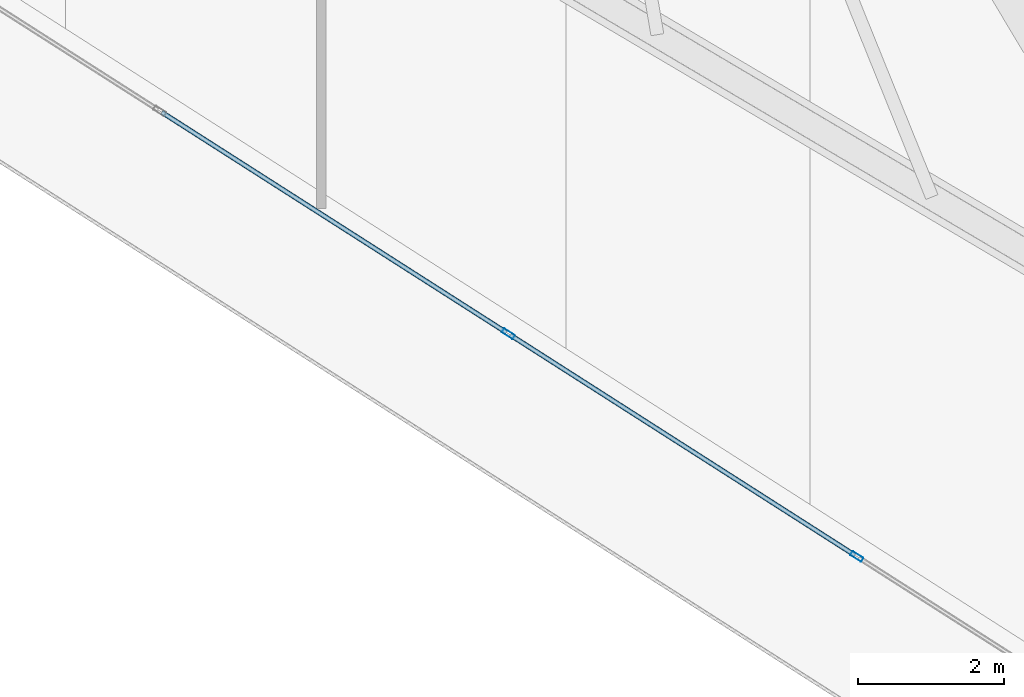
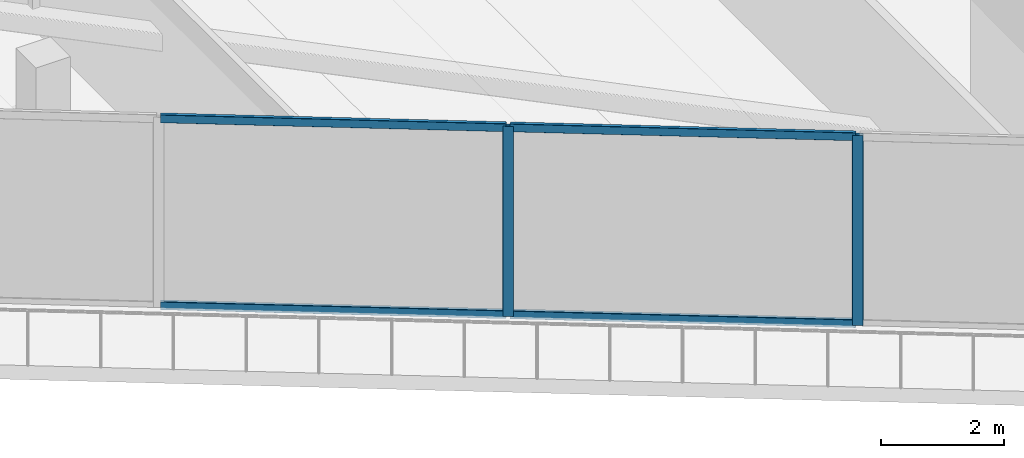
# One storey, part 7 of 45: 6 members, 1 element without a shape of its own.
"""IFC4 building model written with IfcOpenShell, lengths in metres."""

from ifc_helpers import new_model, si_unit, direction, frame, origin, origin_2d, place, context, subcontext, project, spatial, hollow_rectangle, extrude, material, layer, layer_set, material_profile, profile_set, type_object, element, aggregate, save


model = new_model("IFC4")

# Units and contexts
model_context = context("Model", 3, precision=1e-05, world=origin(), true_north=direction((0.0, 1.0)))
body_context = subcontext(model_context, "Body", "Model", "MODEL_VIEW")
ifc_project = project(units=[si_unit("LENGTHUNIT", "METRE"), si_unit("AREAUNIT", "SQUARE_METRE"), si_unit("VOLUMEUNIT", "CUBIC_METRE"), si_unit("PLANEANGLEUNIT", "RADIAN"), si_unit("MASSUNIT", "GRAM", prefix="KILO")], contexts=[model_context])

# Site, building, storey
site_placement = place(None, origin())
site = spatial("IfcSite", under=ifc_project, at=site_placement, CompositionType="ELEMENT")
building_placement = place(site_placement, origin())
building = spatial("IfcBuilding", under=site, at=building_placement, Name="Qorvath Tower", CompositionType="ELEMENT")
storey_placement = place(building_placement, frame((0.0, 0.0, 126.0)))
storey = spatial("IfcBuildingStorey", under=building, at=storey_placement, Name="L28", CompositionType="ELEMENT", Elevation=126.0)

# Curtain wall, members
ifc_material_1 = material(Name="Anodised aluminium and triple low-E glass", Category="aluminium")
ifc_layer = layer(ifc_material_1, 0.179931640625)
ifc_layer_set = layer_set([ifc_layer], Name="CW-SYS-2")
curtain_wall_type = type_object("IfcCurtainWallType", Name="CW-SYS-2", PredefinedType="NOTDEFINED", material=ifc_layer_set)
curtain_wall_placement = place(storey_placement, origin())
curtain_wall = element("IfcCurtainWall", 1, at=curtain_wall_placement, inside=storey, type_object=curtain_wall_type, Name="Curtain Wall CW-2 CW-T-L28-2.2", PredefinedType="NOTDEFINED")
ifc_material_2 = material(Name="Anodised aluminium 6063-T6", Category="aluminium")
ifc_material_profile_1 = material_profile(ifc_material_2, hollow_rectangle(XDim=0.06494140625, YDim=0.179931640625, WallThickness=0.00341796875, InnerFilletRadius=0.00341796875, OuterFilletRadius=0.007080078125, at=origin_2d()), Name="CWM 180x65")
ifc_profile_set_1 = profile_set([ifc_material_profile_1], Name="Anodised aluminium 6063-T6")
member_type_1 = type_object("IfcMemberType", Name="CWM-180", PredefinedType="MULLION", material=ifc_profile_set_1)
member_1_placement = place(storey_placement, frame((-25.30908203125, -24.671630859375, 0.0), z_axis=(0.0, 0.0, 1.0), x_axis=(0.538536165559, 0.84260239638, 0.0)))
member_1 = element("IfcMember", 2, at=member_1_placement, type_object=member_type_1, Name="CW-2 mullion 3", PredefinedType="MULLION", context=body_context, shape_type="SweptSolid", body=[
    extrude(hollow_rectangle(XDim=0.06494140625, YDim=0.179931640625, WallThickness=0.00341796875, InnerFilletRadius=0.00341796875, OuterFilletRadius=0.007080078125, at=origin_2d()), origin(), (0.0, 0.0, 1.0), 3.77001953125),
])
member_2_placement = place(storey_placement, frame((-20.52294921875, -27.73046875, 0.0), z_axis=(0.0, 0.0, 1.0), x_axis=(0.538536165559, 0.84260239638, 0.0)))
member_2 = element("IfcMember", 3, at=member_2_placement, type_object=member_type_1, Name="CW-2 mullion 4", PredefinedType="MULLION", context=body_context, shape_type="SweptSolid", body=[
    extrude(hollow_rectangle(XDim=0.06494140625, YDim=0.179931640625, WallThickness=0.00341796875, InnerFilletRadius=0.00341796875, OuterFilletRadius=0.007080078125, at=origin_2d()), origin(), (0.0, 0.0, 1.0), 3.77001953125),
])
ifc_material_3 = material(Name="Anodised aluminium 6063-T6", Category="aluminium")
ifc_material_profile_2 = material_profile(ifc_material_3, hollow_rectangle(XDim=0.06494140625, YDim=0.159912109375, WallThickness=0.00341796875, InnerFilletRadius=0.00341796875, OuterFilletRadius=0.007080078125, at=origin_2d()), Name="CWT 160x65")
ifc_profile_set_2 = profile_set([ifc_material_profile_2], Name="Anodised aluminium 6063-T6")
member_type_2 = type_object("IfcMemberType", Name="CWT-160", PredefinedType="USERDEFINED", material=ifc_profile_set_2)
member_3_placement = place(storey_placement, frame((-30.068115234375, -21.630126953125, 0.032470703125), z_axis=(0.842610769528, -0.538523064571, 0.0), x_axis=(0.538523064571, 0.842610769528, 0.0)))
member_3 = element("IfcMember", 4, at=member_3_placement, type_object=member_type_2, Name="CW-2 transom 2.1", ObjectType="TRANSOM", PredefinedType="USERDEFINED", context=body_context, shape_type="SweptSolid", body=[
    extrude(hollow_rectangle(XDim=0.06494140625, YDim=0.159912109375, WallThickness=0.00341796875, InnerFilletRadius=0.00341796875, OuterFilletRadius=0.007080078125, at=origin_2d()), origin(), (0.0, 0.0, 1.0), 5.615234375),
])
member_4_placement = place(storey_placement, frame((-30.068115234375, -21.630126953125, 3.737548828125), z_axis=(0.842610769528, -0.538523064571, 0.0), x_axis=(0.538523064571, 0.842610769528, 0.0)))
member_4 = element("IfcMember", 5, at=member_4_placement, type_object=member_type_2, Name="CW-2 transom 2.2", ObjectType="TRANSOM", PredefinedType="USERDEFINED", context=body_context, shape_type="SweptSolid", body=[
    extrude(hollow_rectangle(XDim=0.06494140625, YDim=0.159912109375, WallThickness=0.00341796875, InnerFilletRadius=0.00341796875, OuterFilletRadius=0.007080078125, at=origin_2d()), origin(), (0.0, 0.0, 1.0), 5.615234375),
])
member_5_placement = place(storey_placement, frame((-25.28173828125, -24.68896484375, 0.032470703125), z_axis=(0.842591040449, -0.538553932819, 0.0), x_axis=(0.538553932819, 0.842591040449, 0.0)))
member_5 = element("IfcMember", 6, at=member_5_placement, type_object=member_type_2, Name="CW-2 transom 3.1", ObjectType="TRANSOM", PredefinedType="USERDEFINED", context=body_context, shape_type="SweptSolid", body=[
    extrude(hollow_rectangle(XDim=0.06494140625, YDim=0.159912109375, WallThickness=0.00341796875, InnerFilletRadius=0.00341796875, OuterFilletRadius=0.007080078125, at=origin_2d()), origin(), (0.0, 0.0, 1.0), 5.615234375),
])
member_6_placement = place(storey_placement, frame((-25.28173828125, -24.68896484375, 3.737548828125), z_axis=(0.842591040449, -0.538553932819, 0.0), x_axis=(0.538553932819, 0.842591040449, 0.0)))
member_6 = element("IfcMember", 7, at=member_6_placement, type_object=member_type_2, Name="CW-2 transom 3.2", ObjectType="TRANSOM", PredefinedType="USERDEFINED", context=body_context, shape_type="SweptSolid", body=[
    extrude(hollow_rectangle(XDim=0.06494140625, YDim=0.159912109375, WallThickness=0.00341796875, InnerFilletRadius=0.00341796875, OuterFilletRadius=0.007080078125, at=origin_2d()), origin(), (0.0, 0.0, 1.0), 5.615234375),
])
aggregate(curtain_wall, [member_1, member_2, member_3, member_4, member_5, member_6])

save(model, "model.ifc")
